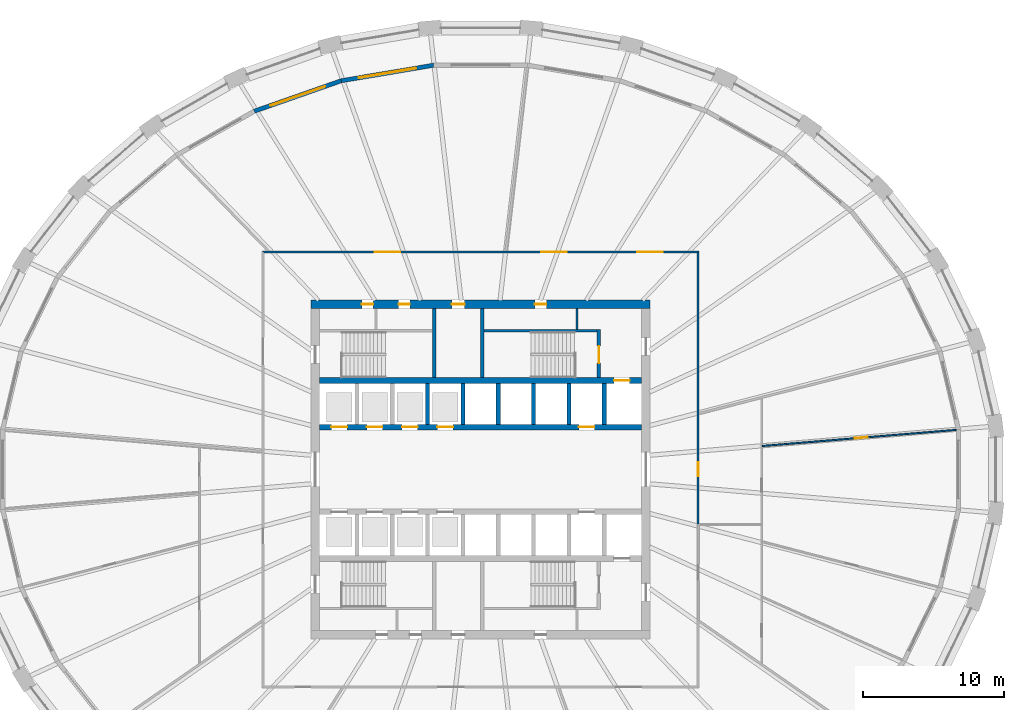
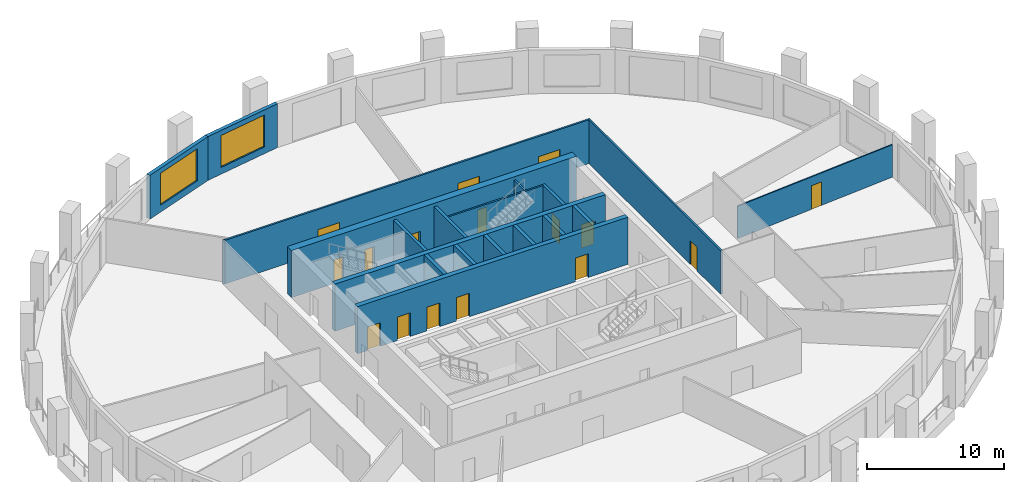
# One storey, part 6 of 11: 19 walls, 16 doors, 2 windows, 18 openings.
"""IFC4 building model written with IfcOpenShell, lengths in metres."""

import ifcopenshell
import ifcopenshell.guid

model = None  # the IFC model being written
_history = None  # IfcOwnerHistory: only IFC2X3 demands one
_inside = {}  # id of a spatial element -> (the spatial element, [elements in it])
_under = {}  # id of a project, library or spatial element -> (it, [spatial elements below it])
_declared = {}  # id of a project -> (the project, [libraries it declares])
_typed = {}  # id of a type object -> (the type object, [elements of that type])
_made_of = {}  # id of a material, layer set ... -> (it, [elements and type objects made of it])


def new_model(schema):
    """Start an empty IFC model of exactly this schema.

    Asked for "IFC4X3", IfcOpenShell would pick the latest addendum, in which some entities
    have other attributes; the version numbers below select the first issue.
    IFC2X3 requires an IfcOwnerHistory on every rooted entity: one is made here for all.
    """
    global model, _history
    if schema == "IFC4X3":
        model = ifcopenshell.file(schema_version=(4, 3, 0, 0))
    else:
        model = ifcopenshell.file(schema=schema)
    _inside.clear()
    _under.clear()
    _declared.clear()
    _typed.clear()
    _made_of.clear()
    _history = None
    if model.schema == "IFC2X3":
        org = make("IfcOrganization", Name="unknown")
        user = make(
            "IfcPersonAndOrganization",
            ThePerson=make("IfcPerson", FamilyName="unknown"),
            TheOrganization=org,
        )
        app = make(
            "IfcApplication",
            ApplicationDeveloper=org,
            Version="unknown",
            ApplicationFullName="unknown",
            ApplicationIdentifier="unknown",
        )
        _history = make(
            "IfcOwnerHistory",
            OwningUser=user,
            OwningApplication=app,
            ChangeAction="ADDED",
            CreationDate=0,
        )
    return model


def make(cls, **values):
    """One entity of the class cls with the attributes given. An attribute that is None is left unset."""
    return model.create_entity(
        cls, **{name: value for name, value in values.items() if value is not None}
    )


def rooted(cls, **values):
    """An entity with a GlobalId (a new one), such as an element, a storey or a relation."""
    return make(cls, GlobalId=ifcopenshell.guid.new(), OwnerHistory=_history, **values)


def si_unit(unit_type, name, prefix=None):
    """IfcSIUnit, for example si_unit("LENGTHUNIT", "METRE", prefix="MILLI")."""
    return make("IfcSIUnit", UnitType=unit_type, Prefix=prefix, Name=name)


def assignment(units):
    """IfcUnitAssignment: the units of a project."""
    return None if units is None else make("IfcUnitAssignment", Units=units)


def point(xyz):
    """IfcCartesianPoint."""
    return None if xyz is None else make("IfcCartesianPoint", Coordinates=xyz)


def direction(xyz):
    """IfcDirection."""
    return None if xyz is None else make("IfcDirection", DirectionRatios=xyz)


def frame(location, z_axis=None, x_axis=None):
    """IfcAxis2Placement3D, a coordinate frame: its origin and axes. An axis left out is left unset."""
    return make(
        "IfcAxis2Placement3D",
        Location=point(location),
        Axis=direction(z_axis),
        RefDirection=direction(x_axis),
    )


def frame_2d(location, x_axis=None):
    """IfcAxis2Placement2D, a coordinate frame in the plane: its origin and x axis."""
    return make(
        "IfcAxis2Placement2D", Location=point(location), RefDirection=direction(x_axis)
    )


def origin():
    """The frame at (0, 0, 0) with its axes left unset."""
    return frame((0.0, 0.0, 0.0))


def place(relative_to, where):
    """IfcLocalPlacement: puts the frame where relative to a parent placement (None: the world)."""
    return make(
        "IfcLocalPlacement", PlacementRelTo=relative_to, RelativePlacement=where
    )


def context(
    kind, dimensions, precision=None, world=None, true_north=None, identifier=None
):
    """IfcGeometricRepresentationContext, for example the 3D "Model" context."""
    return make(
        "IfcGeometricRepresentationContext",
        ContextIdentifier=identifier,
        ContextType=kind,
        CoordinateSpaceDimension=dimensions,
        Precision=precision,
        WorldCoordinateSystem=world,
        TrueNorth=true_north,
    )


def subcontext(parent, identifier, kind, view, scale=None):
    """IfcGeometricRepresentationSubContext, for example "Body" below "Model"."""
    return make(
        "IfcGeometricRepresentationSubContext",
        ContextIdentifier=identifier,
        ContextType=kind,
        ParentContext=parent,
        TargetScale=scale,
        TargetView=view,
    )


def project(units=None, contexts=None):
    """IfcProject with its units and contexts."""
    return rooted(
        "IfcProject",
        Name="project",
        RepresentationContexts=contexts,
        UnitsInContext=assignment(units),
    )


def spatial(cls, under=None, at=None, **own):
    """A site, building, storey or space (cls), placed at a placement, below another one or the project."""
    s = rooted(cls, ObjectPlacement=at, **own)
    if under is not None:
        _under.setdefault(under.id(), (under, []))[1].append(s)
    return s


def polyline(points):
    """IfcPolyline through the points."""
    return make("IfcPolyline", Points=[point(p) for p in points])


def profile(cls, at=None, kind="AREA", **sizes):
    """A parametric profile (cls). Its sizes go by their IFC names, for example OverallWidth=200.0."""
    return make(cls, ProfileType=kind, Position=at, **sizes)


def rectangle(**sizes):
    """IfcRectangleProfileDef."""
    return profile("IfcRectangleProfileDef", **sizes)


def outline(outer, holes=None, kind="AREA"):
    """IfcArbitraryClosedProfileDef: a profile drawn as a closed curve; with holes, ...WithVoids."""
    if holes is None:
        return make("IfcArbitraryClosedProfileDef", ProfileType=kind, OuterCurve=outer)
    return make(
        "IfcArbitraryProfileDefWithVoids",
        ProfileType=kind,
        OuterCurve=outer,
        InnerCurves=holes,
    )


def extrude(swept, where, along, depth):
    """IfcExtrudedAreaSolid: the profile swept, set in the frame where, extruded along a direction by depth."""
    return make(
        "IfcExtrudedAreaSolid",
        SweptArea=swept,
        Position=where,
        ExtrudedDirection=direction(along),
        Depth=depth,
    )


def shape(context_of_items, identifier, shape_type, items):
    """IfcShapeRepresentation: the items that make up one representation, for example the "Body"."""
    return make(
        "IfcShapeRepresentation",
        ContextOfItems=context_of_items,
        RepresentationIdentifier=identifier,
        RepresentationType=shape_type,
        Items=items,
    )


def material(Name=None, Category=None):
    """IfcMaterial."""
    return make("IfcMaterial", Name=Name, Category=Category)


def layer(
    of_material, thickness, ventilated=None, Name=None, Category=None, Priority=None
):
    """IfcMaterialLayer: one layer of a wall or slab, of a material (None: an air gap)."""
    return make(
        "IfcMaterialLayer",
        Material=of_material,
        LayerThickness=thickness,
        IsVentilated=ventilated,
        Name=Name,
        Category=Category,
        Priority=Priority,
    )


def layer_set(layers, Name=None):
    """IfcMaterialLayerSet."""
    return make("IfcMaterialLayerSet", MaterialLayers=layers, LayerSetName=Name)


def made_of(thing, what):
    """Note that an element or type object is made of a material, layer set ...; save() writes the relation."""
    if what is not None:
        _made_of.setdefault(what.id(), (what, []))[1].append(thing)
    return thing


def type_object(cls, material=None, **own):
    """A type object (cls), such as IfcWallType, which elements share."""
    return made_of(rooted(cls, **own), material)


def element(
    cls,
    number,
    at=None,
    inside=None,
    cuts=None,
    type_object=None,
    material=None,
    context=None,
    identifier="Body",
    shape_type=None,
    held_by="IfcProductDefinitionShape",
    body=None,
    shapes=None,
    **own,
):
    """One element of the class cls, such as IfcWall. Its Tag is "e" and its number.

    at: its placement. inside: the storey or other place that contains it. cuts: it is an
    opening in that element (IfcRelVoidsElement). A single representation is given by context,
    identifier, shape_type and body (its items); several are given by shapes. held_by: the class
    of the entity that holds the representations. save() writes the other relations.
    """
    e = rooted(cls, Tag="e%d" % number, ObjectPlacement=at, **own)
    if body is not None:
        shapes = [shape(context, identifier, shape_type, body)]
    if shapes is not None:
        e.Representation = make(held_by, Representations=shapes)
    if inside is not None:
        _inside.setdefault(inside.id(), (inside, []))[1].append(e)
    if cuts is not None:
        rooted(
            "IfcRelVoidsElement", RelatingBuildingElement=cuts, RelatedOpeningElement=e
        )
    if type_object is not None:
        _typed.setdefault(type_object.id(), (type_object, []))[1].append(e)
    return made_of(e, material)


def fill(opening, filler):
    """IfcRelFillsElement: the door or window that sits in an opening."""
    return rooted(
        "IfcRelFillsElement",
        RelatingOpeningElement=opening,
        RelatedBuildingElement=filler,
    )


def aggregate(whole, parts):
    """IfcRelAggregates: a whole, such as a stair, and the parts it consists of."""
    return rooted("IfcRelAggregates", RelatingObject=whole, RelatedObjects=parts)


def save(model, path):
    """Write the relations noted so far, then the file.

    IfcRelAggregates (storeys below a building ...), IfcRelContainedInSpatialStructure (elements
    in a storey), IfcRelDefinesByType, IfcRelAssociatesMaterial and IfcRelDeclares: one each for
    every whole, place, type object, material and project.
    """
    for whole, parts in _under.values():
        aggregate(whole, parts)
    for where, things in _inside.values():
        rooted(
            "IfcRelContainedInSpatialStructure",
            RelatedElements=things,
            RelatingStructure=where,
        )
    for kind, things in _typed.values():
        rooted("IfcRelDefinesByType", RelatedObjects=things, RelatingType=kind)
    for what, things in _made_of.values():
        rooted("IfcRelAssociatesMaterial", RelatedObjects=things, RelatingMaterial=what)
    for by, libraries in _declared.values():
        rooted("IfcRelDeclares", RelatingContext=by, RelatedDefinitions=libraries)
    model.write(path)


model = new_model("IFC4")

# Units and contexts
model_context = context("Model", 3, precision=1e-05, world=origin(), true_north=direction((0.0, 1.0)))
body_context = subcontext(model_context, "Body", "Model", "MODEL_VIEW")
ifc_project = project(units=[si_unit("LENGTHUNIT", "METRE"), si_unit("AREAUNIT", "SQUARE_METRE"), si_unit("VOLUMEUNIT", "CUBIC_METRE"), si_unit("PLANEANGLEUNIT", "RADIAN"), si_unit("MASSUNIT", "GRAM", prefix="KILO")], contexts=[model_context])

# Site, building, storey
site_placement = place(None, origin())
site = spatial("IfcSite", under=ifc_project, at=site_placement, CompositionType="ELEMENT")
building_placement = place(site_placement, origin())
building = spatial("IfcBuilding", under=site, at=building_placement, Name="Halqa Exchange Tower", CompositionType="ELEMENT")
storey_placement = place(building_placement, frame((0.0, 0.0, 78.10009765625)))
storey = spatial("IfcBuildingStorey", under=building, at=storey_placement, Name="L17", CompositionType="ELEMENT", Elevation=78.10009765625)

# Wall, openings, doors
ifc_material_1 = material(Name="Fire-rated gypsum board")
ifc_layer_1 = layer(ifc_material_1, 0.14990234375)
ifc_layer_set_1 = layer_set([ifc_layer_1], Name="Fire-rated gypsum board")
wall_type_1 = type_object("IfcWallType", Name="Fire partition EI 60 150", PredefinedType="PARTITIONING", material=ifc_layer_set_1)
wall_1_placement = place(storey_placement, frame((-15.47509765625, 15.39990234375, 0.0), z_axis=(0.0, 0.0, 1.0), x_axis=(1.0, 0.0, 0.0)))
wall_1 = element("IfcWall", 1, at=wall_1_placement, inside=storey, type_object=wall_type_1, Name="L17-PWL-008", PredefinedType="PARTITIONING", context=body_context, shape_type="SweptSolid", body=[
    extrude(outline(polyline([(0.150146484375, -0.074951171875), (2.065673828125, -0.074951171875), (3.9814453125, -0.074951171875), (5.89697265625, -0.074951171875), (7.8125, -0.074951171875), (9.728271484375, -0.074951171875), (11.643798828125, -0.074951171875), (13.5595703125, -0.074951171875), (15.47509765625, -0.074951171875), (17.390625, -0.074951171875), (19.306396484375, -0.074951171875), (21.221923828125, -0.074951171875), (23.1376953125, -0.074951171875), (25.05322265625, -0.074951171875), (26.96875, -0.074951171875), (28.884521484375, -0.074951171875), (30.800048828125, -0.074951171875), (30.949951171875, 0.074951171875), (29.015625, 0.074951171875), (27.081298828125, 0.074951171875), (25.14697265625, 0.074951171875), (23.21240234375, 0.074951171875), (21.278076171875, 0.074951171875), (19.34375, 0.074951171875), (17.409423828125, 0.074951171875), (15.47509765625, 0.074951171875), (13.540771484375, 0.074951171875), (11.6064453125, 0.074951171875), (9.672119140625, 0.074951171875), (7.73779296875, 0.074951171875), (5.80322265625, 0.074951171875), (3.868896484375, 0.074951171875), (1.9345703125, 0.074951171875), (0.000244140625, 0.074951171875), (0.150146484375, -0.074951171875)])), origin(), (0.0, 0.0, 1.0), 3.89990234375),
])
opening_1_placement = place(wall_1_placement, frame((26.572509765625, 0.0, 0.0)))
opening_1 = element("IfcOpeningElement", 2, at=opening_1_placement, cuts=wall_1, Name="Opening 05-07", PredefinedType="OPENING", context=body_context, shape_type="SweptSolid", body=[
    extrude(rectangle(XDim=1.800048828125, YDim=2.10009765625, at=frame_2d((0.89990234375, 1.050048828125))), frame((0.0, 0.0869140625, 0.0), z_axis=(0.0, -1.0, 0.0), x_axis=(1.0, 0.0, 0.0)), (0.0, 0.0, 1.0), 0.173828125),
])
opening_2_placement = place(wall_1_placement, frame((19.767578125, 0.0, 0.0)))
opening_2 = element("IfcOpeningElement", 3, at=opening_2_placement, cuts=wall_1, Name="Opening 05-08", PredefinedType="OPENING", context=body_context, shape_type="SweptSolid", body=[
    extrude(rectangle(XDim=1.800048828125, YDim=2.10009765625, at=frame_2d((0.89990234375, 1.050048828125))), frame((0.0, 0.0869140625, 0.0), z_axis=(0.0, -1.0, 0.0), x_axis=(1.0, 0.0, 0.0)), (0.0, 0.0, 1.0), 0.173828125),
])
opening_3_placement = place(wall_1_placement, frame((7.9951171875, 0.0, 0.0)))
opening_3 = element("IfcOpeningElement", 4, at=opening_3_placement, cuts=wall_1, Name="Opening 05-09", PredefinedType="OPENING", context=body_context, shape_type="SweptSolid", body=[
    extrude(rectangle(XDim=1.800048828125, YDim=2.10009765625, at=frame_2d((0.89990234375, 1.050048828125))), frame((0.0, 0.0869140625, 0.0), z_axis=(0.0, -1.0, 0.0), x_axis=(1.0, 0.0, 0.0)), (0.0, 0.0, 1.0), 0.173828125),
])
ifc_material_2 = material(Name="Steel fire door leaf", Category="steel")
door_type_1 = type_object("IfcDoorType", Name="Fire door FD30S double 1800 x 2100", OperationType="DOUBLE_DOOR_SINGLE_SWING", PredefinedType="DOOR", material=ifc_material_2)
door_1_placement = place(opening_1_placement, origin())
door_1 = element("IfcDoor", 5, at=door_1_placement, inside=storey, type_object=door_type_1, Name="L17-IDR-007", OperationType="DOUBLE_DOOR_SINGLE_SWING", OverallHeight=2.10009765625, OverallWidth=1.800048828125, PredefinedType="DOOR", context=body_context, shape_type="SweptSolid", body=[
    extrude(rectangle(XDim=1.800048828125, YDim=2.10009765625, at=frame_2d((0.89990234375, 1.050048828125))), frame((0.0, 0.02490234375, 0.0), z_axis=(0.0, -1.0, 0.0), x_axis=(1.0, 0.0, 0.0)), (0.0, 0.0, 1.0), 0.050048828125),
])
fill(opening_1, door_1)
door_2_placement = place(opening_2_placement, origin())
door_2 = element("IfcDoor", 6, at=door_2_placement, inside=storey, type_object=door_type_1, Name="L17-IDR-008", OperationType="DOUBLE_DOOR_SINGLE_SWING", OverallHeight=2.10009765625, OverallWidth=1.800048828125, PredefinedType="DOOR", context=body_context, shape_type="SweptSolid", body=[
    extrude(rectangle(XDim=1.800048828125, YDim=2.10009765625, at=frame_2d((0.89990234375, 1.050048828125))), frame((0.0, 0.02490234375, 0.0), z_axis=(0.0, -1.0, 0.0), x_axis=(1.0, 0.0, 0.0)), (0.0, 0.0, 1.0), 0.050048828125),
])
fill(opening_2, door_2)
door_3_placement = place(opening_3_placement, origin())
door_3 = element("IfcDoor", 7, at=door_3_placement, inside=storey, type_object=door_type_1, Name="L17-IDR-009", OperationType="DOUBLE_DOOR_SINGLE_SWING", OverallHeight=2.10009765625, OverallWidth=1.800048828125, PredefinedType="DOOR", context=body_context, shape_type="SweptSolid", body=[
    extrude(rectangle(XDim=1.800048828125, YDim=2.10009765625, at=frame_2d((0.89990234375, 1.050048828125))), frame((0.0, 0.02490234375, 0.0), z_axis=(0.0, -1.0, 0.0), x_axis=(1.0, 0.0, 0.0)), (0.0, 0.0, 1.0), 0.050048828125),
])
fill(opening_3, door_3)

# Wall, opening, door
wall_2_placement = place(storey_placement, frame((15.39990234375, -3.889892578125, 0.0), z_axis=(0.0, 0.0, 1.0), x_axis=(0.0, 1.0, 0.0)))
wall_2 = element("IfcWall", 8, at=wall_2_placement, inside=storey, type_object=wall_type_1, Name="L17-PWL-016", PredefinedType="PARTITIONING", context=body_context, shape_type="SweptSolid", body=[
    extrude(outline(polyline([(0.0, -0.074951171875), (1.9365234375, -0.074951171875), (3.873046875, -0.074951171875), (5.809326171875, -0.074951171875), (7.745849609375, -0.074951171875), (9.682373046875, -0.074951171875), (11.618896484375, -0.074951171875), (13.555419921875, -0.074951171875), (15.49169921875, -0.074951171875), (17.42822265625, -0.074951171875), (19.36474609375, -0.074951171875), (19.21484375, 0.074951171875), (17.29345703125, 0.074951171875), (15.371826171875, 0.074951171875), (13.450439453125, 0.074951171875), (11.52880859375, 0.074951171875), (9.607421875, 0.074951171875), (7.68603515625, 0.074951171875), (5.764404296875, 0.074951171875), (3.843017578125, 0.074951171875), (1.92138671875, 0.074951171875), (0.0, 0.074951171875), (0.0, -0.074951171875)])), origin(), (0.0, 0.0, 1.0), 3.89990234375),
])
opening_4_placement = place(wall_2_placement, frame((3.419921875, 0.0, 0.0)))
opening_4 = element("IfcOpeningElement", 9, at=opening_4_placement, cuts=wall_2, Name="Opening 05-06", PredefinedType="OPENING", context=body_context, shape_type="SweptSolid", body=[
    extrude(rectangle(XDim=1.0, YDim=2.10009765625, at=frame_2d((0.5, 1.050048828125))), frame((0.0, 0.0869140625, 0.0), z_axis=(0.0, -1.0, 0.0), x_axis=(1.0, 0.0, 0.0)), (0.0, 0.0, 1.0), 0.173828125),
])
door_type_2 = type_object("IfcDoorType", Name="Fire door FD30S 1000 x 2100", OperationType="SINGLE_SWING_LEFT", PredefinedType="DOOR", material=ifc_material_2)
door_4_placement = place(opening_4_placement, frame((1.0, 0.0, 0.0), z_axis=(0.0, 0.0, 1.0), x_axis=(-1.0, 0.0, 0.0)))
door_4 = element("IfcDoor", 10, at=door_4_placement, inside=storey, type_object=door_type_2, Name="L17-IDR-006", OperationType="SINGLE_SWING_RIGHT", OverallHeight=2.10009765625, OverallWidth=1.0, PredefinedType="DOOR", context=body_context, shape_type="SweptSolid", body=[
    extrude(rectangle(XDim=1.0, YDim=2.10009765625, at=frame_2d((0.5, 1.050048828125))), frame((0.0, 0.02490234375, 0.0), z_axis=(0.0, -1.0, 0.0), x_axis=(1.0, 0.0, 0.0)), (0.0, 0.0, 1.0), 0.050048828125),
])
fill(opening_4, door_4)

ifc_material_3 = material(Name="Gypsum board")
ifc_layer_2 = layer(ifc_material_3, 0.10009765625)
ifc_layer_set_2 = layer_set([ifc_layer_2], Name="Gypsum board")
wall_type_2 = type_object("IfcWallType", Name="Partition 100 gypsum", PredefinedType="PARTITIONING", material=ifc_layer_set_2)
wall_3_placement = place(storey_placement, frame((19.9462890625, 1.663818359375, 0.0), z_axis=(0.0, 0.0, 1.0), x_axis=(0.996559566172, 0.082879617945, 0.0)))
wall_3 = element("IfcWall", 11, at=wall_3_placement, inside=storey, type_object=wall_type_2, Name="L17-PWL-022", PredefinedType="PARTITIONING", context=body_context, shape_type="SweptSolid", body=[
    extrude(outline(polyline([(13.765380859375, -0.050048828125), (13.765380859375, 0.0263671875), (13.761962890625, 0.050048828125), (11.797119140625, 0.050048828125), (9.83203125, 0.050048828125), (7.8671875, 0.050048828125), (5.90234375, 0.050048828125), (3.9375, 0.050048828125), (1.97265625, 0.050048828125), (0.0078125, 0.050048828125), (0.0, -0.044677734375), (0.0, -0.050048828125), (1.966552734375, -0.050048828125), (3.932861328125, -0.050048828125), (5.8994140625, -0.050048828125), (7.865966796875, -0.050048828125), (9.83251953125, -0.050048828125), (11.798828125, -0.050048828125), (13.765380859375, -0.050048828125)])), origin(), (0.0, 0.0, 1.0), 2.891845703125),
])
opening_5_placement = place(wall_3_placement, frame((6.562744140625, 0.0, 0.0)))
opening_5 = element("IfcOpeningElement", 12, at=opening_5_placement, cuts=wall_3, Name="Opening 05-17", PredefinedType="OPENING", context=body_context, shape_type="SweptSolid", body=[
    extrude(rectangle(XDim=0.89990234375, YDim=2.10009765625, at=frame_2d((0.449951171875, 1.050048828125))), frame((0.0, 0.06201171875, 0.0), z_axis=(0.0, -1.0, 0.0), x_axis=(1.0, 0.0, 0.0)), (0.0, 0.0, 1.0), 0.1240234375),
])
ifc_material_4 = material(Name="Timber door leaf", Category="wood")
door_type_3 = type_object("IfcDoorType", Name="Door 900 x 2100", OperationType="SINGLE_SWING_LEFT", PredefinedType="DOOR", material=ifc_material_4)
door_5_placement = place(opening_5_placement, origin())
door_5 = element("IfcDoor", 13, at=door_5_placement, inside=storey, type_object=door_type_3, Name="L17-IDR-017", OperationType="SINGLE_SWING_RIGHT", OverallHeight=2.10009765625, OverallWidth=0.89990234375, PredefinedType="DOOR", context=body_context, shape_type="SweptSolid", body=[
    extrude(rectangle(XDim=0.89990234375, YDim=2.10009765625, at=frame_2d((0.449951171875, 1.050048828125))), frame((0.0, 0.02490234375, 0.0), z_axis=(0.0, -1.0, 0.0), x_axis=(1.0, 0.0, 0.0)), (0.0, 0.0, 1.0), 0.050048828125),
])
fill(opening_5, door_5)

# Walls
ifc_layer_3 = layer(ifc_material_3, 0.14990234375)
ifc_layer_set_3 = layer_set([ifc_layer_3], Name="Gypsum board")
wall_type_3 = type_object("IfcWallType", Name="Penthouse riser wall 150 gypsum", PredefinedType="PARTITIONING", material=ifc_layer_set_3)
wall_4_placement = place(storey_placement, frame((6.824951171875, 9.89990234375, 0.0), z_axis=(0.0, 0.0, 1.0), x_axis=(0.0, 1.0, 0.0)))
element("IfcWall", 14, at=wall_4_placement, inside=storey, type_object=wall_type_3, Name="Firefighting lobby west wall N", PredefinedType="PARTITIONING", context=body_context, shape_type="SweptSolid", body=[
    extrude(rectangle(XDim=1.5, YDim=0.14990234375, at=frame_2d((0.75, 0.0))), origin(), (0.0, 0.0, 1.0), 3.89990234375),
])
ifc_material_5 = material(Name="Concrete C60/75", Category="concrete")
ifc_layer_4 = layer(ifc_material_5, 0.300048828125)
ifc_layer_set_4 = layer_set([ifc_layer_4], Name="Concrete C60/75")
wall_type_4 = type_object("IfcWallType", Name="RC core wall 300", PredefinedType="SHEAR", material=ifc_layer_set_4)
for number, where, z_axis, x_axis, name in (
    (15, (-3.75, 3.199951171875, 0.0), (0.0, 0.0, 1.0), (0.0, 1.0, 0.0), "Shaft divider N3"),
    (16, (-1.25, 3.199951171875, 0.0), (0.0, 0.0, 1.0), (0.0, 1.0, 0.0), "Shaft divider N4"),
    (17, (1.25, 3.199951171875, 0.0), (0.0, 0.0, 1.0), (0.0, 1.0, 0.0), "Shaft divider N5"),
    (18, (3.75, 3.199951171875, 0.0), (0.0, 0.0, 1.0), (0.0, 1.0, 0.0), "Shaft divider N6"),
    (19, (6.25, 3.199951171875, 0.0), (0.0, 0.0, 1.0), (0.0, 1.0, 0.0), "Shaft divider N7"),
    (20, (8.75, 3.199951171875, 0.0), (0.0, 0.0, 1.0), (0.0, 1.0, 0.0), "Shaft divider N8"),
):
    element("IfcWall", number, at=place(storey_placement, frame(where, z_axis=z_axis, x_axis=x_axis)), inside=storey, type_object=wall_type_4, Name=name, PredefinedType="SHEAR", context=body_context, shape_type="SweptSolid", body=[
        extrude(rectangle(XDim=2.900146484375, YDim=0.300048828125, at=frame_2d((1.4501953125, 0.0))), origin(), (0.0, 0.0, 1.0), 4.199951171875),
    ])

# Wall, openings, doors
ifc_material_6 = material(Name="Concrete C80/95", Category="concrete")
ifc_layer_5 = layer(ifc_material_6, 0.39990234375)
ifc_layer_set_5 = layer_set([ifc_layer_5], Name="Concrete C80/95")
wall_type_5 = type_object("IfcWallType", Name="RC core wall 400 C80/95", PredefinedType="SHEAR", material=ifc_layer_set_5)
wall_5_placement = place(storey_placement, frame((-11.39990234375, 3.0, 0.0), z_axis=(0.0, 0.0, 1.0), x_axis=(1.0, 0.0, 0.0)))
wall_5 = element("IfcWall", 21, at=wall_5_placement, inside=storey, type_object=wall_type_5, Name="Lift row front wall N", PredefinedType="SHEAR", context=body_context, shape_type="SweptSolid", body=[
    extrude(rectangle(XDim=22.7998046875, YDim=0.39990234375, at=frame_2d((11.39990234375, 0.0))), origin(), (0.0, 0.0, 1.0), 4.199951171875),
])
opening_6_placement = place(wall_5_placement, frame((0.85009765625, 0.0, 0.0)))
opening_6 = element("IfcOpeningElement", 22, at=opening_6_placement, cuts=wall_5, Name="Opening LD-LR1-T05", PredefinedType="OPENING", context=body_context, shape_type="SweptSolid", body=[
    extrude(rectangle(XDim=1.10009765625, YDim=2.10009765625, at=frame_2d((0.550048828125, 1.050048828125))), frame((0.0, 0.2119140625, 0.0), z_axis=(0.0, -1.0, 0.0), x_axis=(1.0, 0.0, 0.0)), (0.0, 0.0, 1.0), 0.423828125),
])
opening_7_placement = place(wall_5_placement, frame((3.35009765625, 0.0, 0.0)))
opening_7 = element("IfcOpeningElement", 23, at=opening_7_placement, cuts=wall_5, Name="Opening LD-LR2-T05", PredefinedType="OPENING", context=body_context, shape_type="SweptSolid", body=[
    extrude(rectangle(XDim=1.10009765625, YDim=2.10009765625, at=frame_2d((0.550048828125, 1.050048828125))), frame((0.0, 0.2119140625, 0.0), z_axis=(0.0, -1.0, 0.0), x_axis=(1.0, 0.0, 0.0)), (0.0, 0.0, 1.0), 0.423828125),
])
opening_8_placement = place(wall_5_placement, frame((5.85009765625, 0.0, 0.0)))
opening_8 = element("IfcOpeningElement", 24, at=opening_8_placement, cuts=wall_5, Name="Opening LD-LR3-T05", PredefinedType="OPENING", context=body_context, shape_type="SweptSolid", body=[
    extrude(rectangle(XDim=1.10009765625, YDim=2.10009765625, at=frame_2d((0.550048828125, 1.050048828125))), frame((0.0, 0.2119140625, 0.0), z_axis=(0.0, -1.0, 0.0), x_axis=(1.0, 0.0, 0.0)), (0.0, 0.0, 1.0), 0.423828125),
])
opening_9_placement = place(wall_5_placement, frame((8.35009765625, 0.0, 0.0)))
opening_9 = element("IfcOpeningElement", 25, at=opening_9_placement, cuts=wall_5, Name="Opening LD-LR4-T05", PredefinedType="OPENING", context=body_context, shape_type="SweptSolid", body=[
    extrude(rectangle(XDim=1.10009765625, YDim=2.10009765625, at=frame_2d((0.550048828125, 1.050048828125))), frame((0.0, 0.2119140625, 0.0), z_axis=(0.0, -1.0, 0.0), x_axis=(1.0, 0.0, 0.0)), (0.0, 0.0, 1.0), 0.423828125),
])
opening_10_placement = place(wall_5_placement, frame((18.35009765625, 0.0, 0.0)))
opening_10 = element("IfcOpeningElement", 26, at=opening_10_placement, cuts=wall_5, Name="Opening LD-SV1-T05", PredefinedType="OPENING", context=body_context, shape_type="SweptSolid", body=[
    extrude(rectangle(XDim=1.10009765625, YDim=2.10009765625, at=frame_2d((0.550048828125, 1.050048828125))), frame((0.0, 0.2119140625, 0.0), z_axis=(0.0, -1.0, 0.0), x_axis=(1.0, 0.0, 0.0)), (0.0, 0.0, 1.0), 0.423828125),
])
ifc_material_7 = material(Name="Stainless steel", Category="steel")
door_type_4 = type_object("IfcDoorType", Name="Lift landing door 1100 x 2100", OperationType="SLIDING_TO_LEFT", PredefinedType="DOOR", material=ifc_material_7)
door_6_placement = place(opening_6_placement, origin())
door_6 = element("IfcDoor", 27, at=door_6_placement, inside=storey, type_object=door_type_4, Name="Lift landing door LR1", OperationType="SLIDING_TO_LEFT", OverallHeight=2.10009765625, OverallWidth=1.10009765625, PredefinedType="DOOR", context=body_context, shape_type="SweptSolid", body=[
    extrude(rectangle(XDim=1.10009765625, YDim=2.10009765625, at=frame_2d((0.550048828125, 1.050048828125))), frame((0.0, 0.02490234375, 0.0), z_axis=(0.0, -1.0, 0.0), x_axis=(1.0, 0.0, 0.0)), (0.0, 0.0, 1.0), 0.050048828125),
])
fill(opening_6, door_6)
door_7_placement = place(opening_7_placement, origin())
door_7 = element("IfcDoor", 28, at=door_7_placement, inside=storey, type_object=door_type_4, Name="Lift landing door LR2", OperationType="SLIDING_TO_LEFT", OverallHeight=2.10009765625, OverallWidth=1.10009765625, PredefinedType="DOOR", context=body_context, shape_type="SweptSolid", body=[
    extrude(rectangle(XDim=1.10009765625, YDim=2.10009765625, at=frame_2d((0.550048828125, 1.050048828125))), frame((0.0, 0.02490234375, 0.0), z_axis=(0.0, -1.0, 0.0), x_axis=(1.0, 0.0, 0.0)), (0.0, 0.0, 1.0), 0.050048828125),
])
fill(opening_7, door_7)
door_8_placement = place(opening_8_placement, origin())
door_8 = element("IfcDoor", 29, at=door_8_placement, inside=storey, type_object=door_type_4, Name="Lift landing door LR3", OperationType="SLIDING_TO_LEFT", OverallHeight=2.10009765625, OverallWidth=1.10009765625, PredefinedType="DOOR", context=body_context, shape_type="SweptSolid", body=[
    extrude(rectangle(XDim=1.10009765625, YDim=2.10009765625, at=frame_2d((0.550048828125, 1.050048828125))), frame((0.0, 0.02490234375, 0.0), z_axis=(0.0, -1.0, 0.0), x_axis=(1.0, 0.0, 0.0)), (0.0, 0.0, 1.0), 0.050048828125),
])
fill(opening_8, door_8)
door_9_placement = place(opening_9_placement, origin())
door_9 = element("IfcDoor", 30, at=door_9_placement, inside=storey, type_object=door_type_4, Name="Lift landing door LR4", OperationType="SLIDING_TO_LEFT", OverallHeight=2.10009765625, OverallWidth=1.10009765625, PredefinedType="DOOR", context=body_context, shape_type="SweptSolid", body=[
    extrude(rectangle(XDim=1.10009765625, YDim=2.10009765625, at=frame_2d((0.550048828125, 1.050048828125))), frame((0.0, 0.02490234375, 0.0), z_axis=(0.0, -1.0, 0.0), x_axis=(1.0, 0.0, 0.0)), (0.0, 0.0, 1.0), 0.050048828125),
])
fill(opening_9, door_9)
door_10_placement = place(opening_10_placement, origin())
door_10 = element("IfcDoor", 31, at=door_10_placement, inside=storey, type_object=door_type_4, Name="Lift landing door SV1", OperationType="SLIDING_TO_LEFT", OverallHeight=2.10009765625, OverallWidth=1.10009765625, PredefinedType="DOOR", context=body_context, shape_type="SweptSolid", body=[
    extrude(rectangle(XDim=1.10009765625, YDim=2.10009765625, at=frame_2d((0.550048828125, 1.050048828125))), frame((0.0, 0.02490234375, 0.0), z_axis=(0.0, -1.0, 0.0), x_axis=(1.0, 0.0, 0.0)), (0.0, 0.0, 1.0), 0.050048828125),
])
fill(opening_10, door_10)

# Wall, opening, door
wall_6_placement = place(storey_placement, frame((-11.39990234375, 6.300048828125, 0.0), z_axis=(0.0, 0.0, 1.0), x_axis=(1.0, 0.0, 0.0)))
wall_6 = element("IfcWall", 32, at=wall_6_placement, inside=storey, type_object=wall_type_5, Name="Lift row back wall N", PredefinedType="SHEAR", context=body_context, shape_type="SweptSolid", body=[
    extrude(rectangle(XDim=22.7998046875, YDim=0.39990234375, at=frame_2d((11.39990234375, 0.0))), origin(), (0.0, 0.0, 1.0), 4.199951171875),
])
opening_11_placement = place(wall_6_placement, frame((20.85009765625, 0.0, 0.0)))
opening_11 = element("IfcOpeningElement", 33, at=opening_11_placement, cuts=wall_6, Name="Opening LD-FF1-T05", PredefinedType="OPENING", context=body_context, shape_type="SweptSolid", body=[
    extrude(rectangle(XDim=1.10009765625, YDim=2.10009765625, at=frame_2d((0.550048828125, 1.050048828125))), frame((0.0, 0.2119140625, 0.0), z_axis=(0.0, -1.0, 0.0), x_axis=(1.0, 0.0, 0.0)), (0.0, 0.0, 1.0), 0.423828125),
])
door_11_placement = place(opening_11_placement, origin())
door_11 = element("IfcDoor", 34, at=door_11_placement, inside=storey, type_object=door_type_4, Name="Lift landing door FF1", OperationType="SLIDING_TO_LEFT", OverallHeight=2.10009765625, OverallWidth=1.10009765625, PredefinedType="DOOR", context=body_context, shape_type="SweptSolid", body=[
    extrude(rectangle(XDim=1.10009765625, YDim=2.10009765625, at=frame_2d((0.550048828125, 1.050048828125))), frame((0.0, 0.02490234375, 0.0), z_axis=(0.0, -1.0, 0.0), x_axis=(1.0, 0.0, 0.0)), (0.0, 0.0, 1.0), 0.050048828125),
])
fill(opening_11, door_11)

# Wall, openings, doors
ifc_layer_6 = layer(ifc_material_6, 0.60009765625)
ifc_layer_set_6 = layer_set([ifc_layer_6], Name="Concrete C80/95")
wall_type_6 = type_object("IfcWallType", Name="RC core wall 600 C80/95", PredefinedType="SHEAR", material=ifc_layer_set_6)
wall_7_placement = place(storey_placement, frame((-12.0, 11.699951171875, 0.0), z_axis=(0.0, 0.0, 1.0), x_axis=(1.0, 0.0, 0.0)))
wall_7 = element("IfcWall", 35, at=wall_7_placement, inside=storey, type_object=wall_type_6, Name="Core wall north", PredefinedType="SHEAR", context=body_context, shape_type="SweptSolid", body=[
    extrude(rectangle(XDim=24.0, YDim=0.60009765625, at=frame_2d((12.0, 0.0))), origin(), (0.0, 0.0, 1.0), 4.199951171875),
])
opening_12_placement = place(wall_7_placement, frame((9.97509765625, 0.0, 0.0)))
opening_12 = element("IfcOpeningElement", 36, at=opening_12_placement, cuts=wall_7, Name="Opening T05-C21", PredefinedType="OPENING", context=body_context, shape_type="SweptSolid", body=[
    extrude(rectangle(XDim=0.89990234375, YDim=2.10009765625, at=frame_2d((0.449951171875, 1.050048828125))), frame((0.0, 0.31201171875, 0.0), z_axis=(0.0, -1.0, 0.0), x_axis=(1.0, 0.0, 0.0)), (0.0, 0.0, 1.0), 0.6240234375),
])
opening_13_placement = place(wall_7_placement, frame((3.60009765625, 0.0, 0.0)))
opening_13 = element("IfcOpeningElement", 37, at=opening_13_placement, cuts=wall_7, Name="Opening T05-C22", PredefinedType="OPENING", context=body_context, shape_type="SweptSolid", body=[
    extrude(rectangle(XDim=0.800048828125, YDim=2.10009765625, at=frame_2d((0.39990234375, 1.050048828125))), frame((0.0, 0.31201171875, 0.0), z_axis=(0.0, -1.0, 0.0), x_axis=(1.0, 0.0, 0.0)), (0.0, 0.0, 1.0), 0.6240234375),
])
opening_14_placement = place(wall_7_placement, frame((6.199951171875, 0.0, 0.0)))
opening_14 = element("IfcOpeningElement", 38, at=opening_14_placement, cuts=wall_7, Name="Opening T05-C23", PredefinedType="OPENING", context=body_context, shape_type="SweptSolid", body=[
    extrude(rectangle(XDim=0.800048828125, YDim=2.10009765625, at=frame_2d((0.39990234375, 1.050048828125))), frame((0.0, 0.31201171875, 0.0), z_axis=(0.0, -1.0, 0.0), x_axis=(1.0, 0.0, 0.0)), (0.0, 0.0, 1.0), 0.6240234375),
])
opening_15_placement = place(wall_7_placement, frame((15.85009765625, 0.0, 0.0)))
opening_15 = element("IfcOpeningElement", 39, at=opening_15_placement, cuts=wall_7, Name="Opening T05-C24", PredefinedType="OPENING", context=body_context, shape_type="SweptSolid", body=[
    extrude(rectangle(XDim=0.800048828125, YDim=2.10009765625, at=frame_2d((0.39990234375, 1.050048828125))), frame((0.0, 0.31201171875, 0.0), z_axis=(0.0, -1.0, 0.0), x_axis=(1.0, 0.0, 0.0)), (0.0, 0.0, 1.0), 0.6240234375),
])
ifc_material_8 = material(Name="Timber fire door leaf", Category="wood")
door_type_5 = type_object("IfcDoorType", Name="Core room door FD30 900 x 2100", OperationType="SINGLE_SWING_LEFT", PredefinedType="DOOR", material=ifc_material_8)
door_12_placement = place(opening_12_placement, frame((0.89990234375, 0.0, 0.0), z_axis=(0.0, 0.0, 1.0), x_axis=(-1.0, 0.0, 0.0)))
door_12 = element("IfcDoor", 40, at=door_12_placement, inside=storey, type_object=door_type_5, Name="Core room door", OperationType="SINGLE_SWING_LEFT", OverallHeight=2.10009765625, OverallWidth=0.89990234375, PredefinedType="DOOR", context=body_context, shape_type="SweptSolid", body=[
    extrude(rectangle(XDim=0.89990234375, YDim=2.10009765625, at=frame_2d((0.449951171875, 1.050048828125))), frame((0.0, 0.02490234375, 0.0), z_axis=(0.0, -1.0, 0.0), x_axis=(1.0, 0.0, 0.0)), (0.0, 0.0, 1.0), 0.050048828125),
])
fill(opening_12, door_12)
door_type_6 = type_object("IfcDoorType", Name="Riser door FD60 800 x 2100", OperationType="SINGLE_SWING_LEFT", PredefinedType="DOOR", material=ifc_material_2)
door_13_placement = place(opening_13_placement, frame((0.800048828125, 0.0, 0.0), z_axis=(0.0, 0.0, 1.0), x_axis=(-1.0, 0.0, 0.0)))
door_13 = element("IfcDoor", 41, at=door_13_placement, inside=storey, type_object=door_type_6, Name="Core room door", OperationType="SINGLE_SWING_RIGHT", OverallHeight=2.10009765625, OverallWidth=0.800048828125, PredefinedType="DOOR", context=body_context, shape_type="SweptSolid", body=[
    extrude(rectangle(XDim=0.800048828125, YDim=2.10009765625, at=frame_2d((0.39990234375, 1.050048828125))), frame((0.0, 0.02490234375, 0.0), z_axis=(0.0, -1.0, 0.0), x_axis=(1.0, 0.0, 0.0)), (0.0, 0.0, 1.0), 0.050048828125),
])
fill(opening_13, door_13)
door_14_placement = place(opening_14_placement, frame((0.800048828125, 0.0, 0.0), z_axis=(0.0, 0.0, 1.0), x_axis=(-1.0, 0.0, 0.0)))
door_14 = element("IfcDoor", 42, at=door_14_placement, inside=storey, type_object=door_type_6, Name="Core room door", OperationType="SINGLE_SWING_LEFT", OverallHeight=2.10009765625, OverallWidth=0.800048828125, PredefinedType="DOOR", context=body_context, shape_type="SweptSolid", body=[
    extrude(rectangle(XDim=0.800048828125, YDim=2.10009765625, at=frame_2d((0.39990234375, 1.050048828125))), frame((0.0, 0.02490234375, 0.0), z_axis=(0.0, -1.0, 0.0), x_axis=(1.0, 0.0, 0.0)), (0.0, 0.0, 1.0), 0.050048828125),
])
fill(opening_14, door_14)
door_15_placement = place(opening_15_placement, frame((0.800048828125, 0.0, 0.0), z_axis=(0.0, 0.0, 1.0), x_axis=(-1.0, 0.0, 0.0)))
door_15 = element("IfcDoor", 43, at=door_15_placement, inside=storey, type_object=door_type_6, Name="Core room door", OperationType="SINGLE_SWING_RIGHT", OverallHeight=2.10009765625, OverallWidth=0.800048828125, PredefinedType="DOOR", context=body_context, shape_type="SweptSolid", body=[
    extrude(rectangle(XDim=0.800048828125, YDim=2.10009765625, at=frame_2d((0.39990234375, 1.050048828125))), frame((0.0, 0.02490234375, 0.0), z_axis=(0.0, -1.0, 0.0), x_axis=(1.0, 0.0, 0.0)), (0.0, 0.0, 1.0), 0.050048828125),
])
fill(opening_15, door_15)

# Walls
ifc_material_9 = material(Name="Concrete C30/37", Category="concrete")
ifc_layer_7 = layer(ifc_material_9, 0.14990234375)
ifc_layer_set_7 = layer_set([ifc_layer_7], Name="Concrete C30/37")
wall_type_7 = type_object("IfcWallType", Name="RC stair wall 150 C30/37", PredefinedType="SHEAR", material=ifc_layer_set_7)
wall_8_placement = place(storey_placement, frame((0.25, 9.824951171875, 0.0), z_axis=(0.0, 0.0, 1.0), x_axis=(1.0, 0.0, 0.0)))
element("IfcWall", 44, at=wall_8_placement, inside=storey, type_object=wall_type_7, Name="Stair ST2 north wall N", PredefinedType="SHEAR", context=body_context, shape_type="SweptSolid", body=[
    extrude(rectangle(XDim=8.0, YDim=0.14990234375, at=frame_2d((4.0, 0.0))), origin(), (0.0, 0.0, 1.0), 3.89990234375),
])
ifc_layer_8 = layer(ifc_material_9, 0.25)
ifc_layer_set_8 = layer_set([ifc_layer_8], Name="Concrete C30/37")
wall_type_8 = type_object("IfcWallType", Name="RC stair wall 250 C30/37", PredefinedType="SHEAR", material=ifc_layer_set_8)
for number, where, z_axis, x_axis, name in (
    (45, (-3.27490234375, 6.5, 0.0), (0.0, 0.0, 1.0), (0.0, 1.0, 0.0), "Stair ST1 east wall N"),
    (46, (0.125, 6.5, 0.0), (0.0, 0.0, 1.0), (0.0, 1.0, 0.0), "Stair ST2 west wall N"),
):
    element("IfcWall", number, at=place(storey_placement, frame(where, z_axis=z_axis, x_axis=x_axis)), inside=storey, type_object=wall_type_8, Name=name, PredefinedType="SHEAR", context=body_context, shape_type="SweptSolid", body=[
        extrude(rectangle(XDim=4.89990234375, YDim=0.25, at=frame_2d((2.449951171875, 0.0))), origin(), (0.0, 0.0, 1.0), 3.89990234375),
    ])

# Wall, opening, door
wall_9_placement = place(storey_placement, frame((8.375, 6.5, 0.0), z_axis=(0.0, 0.0, 1.0), x_axis=(0.0, 1.0, 0.0)))
wall_9 = element("IfcWall", 47, at=wall_9_placement, inside=storey, type_object=wall_type_8, Name="Stair ST2 east wall N", PredefinedType="SHEAR", context=body_context, shape_type="SweptSolid", body=[
    extrude(rectangle(XDim=3.39990234375, YDim=0.25, at=frame_2d((1.699951171875, 0.0))), origin(), (0.0, 0.0, 1.0), 3.89990234375),
])
opening_16_placement = place(wall_9_placement, frame((1.02490234375, 0.0, 0.0)))
opening_16 = element("IfcOpeningElement", 48, at=opening_16_placement, cuts=wall_9, Name="Opening T05-C16", PredefinedType="OPENING", context=body_context, shape_type="SweptSolid", body=[
    extrude(rectangle(XDim=1.199951171875, YDim=2.10009765625, at=frame_2d((0.60009765625, 1.050048828125))), frame((0.0, 0.136962890625, 0.0), z_axis=(0.0, -1.0, 0.0), x_axis=(1.0, 0.0, 0.0)), (0.0, 0.0, 1.0), 0.27392578125),
])
door_type_7 = type_object("IfcDoorType", Name="Stair door FD90 1200 x 2100", OperationType="SINGLE_SWING_LEFT", PredefinedType="DOOR", material=ifc_material_2)
door_16_placement = place(opening_16_placement, origin())
door_16 = element("IfcDoor", 49, at=door_16_placement, inside=storey, type_object=door_type_7, Name="Stair door ST2", OperationType="SINGLE_SWING_RIGHT", OverallHeight=2.10009765625, OverallWidth=1.199951171875, PredefinedType="DOOR", context=body_context, shape_type="SweptSolid", body=[
    extrude(rectangle(XDim=1.199951171875, YDim=2.10009765625, at=frame_2d((0.60009765625, 1.050048828125))), frame((0.0, 0.02490234375, 0.0), z_axis=(0.0, -1.0, 0.0), x_axis=(1.0, 0.0, 0.0)), (0.0, 0.0, 1.0), 0.050048828125),
])
fill(opening_16, door_16)

# Wall, opening, window
ifc_material_10 = material(Name="Limestone cladding", Category="masonry")
ifc_layer_9 = layer(ifc_material_10, 0.0400390625)
ifc_material_11 = material(Name="Ventilated cavity")
ifc_layer_10 = layer(ifc_material_11, 0.030029296875, ventilated=True)
ifc_material_12 = material(Name="Mineral wool insulation")
ifc_layer_11 = layer(ifc_material_12, 0.10009765625)
ifc_layer_12 = layer(ifc_material_9, 0.10009765625)
ifc_material_13 = material(Name="Internal plaster")
ifc_layer_13 = layer(ifc_material_13, 0.030029296875)
ifc_layer_set_9 = layer_set([ifc_layer_9, ifc_layer_10, ifc_layer_11, ifc_layer_12, ifc_layer_13], Name="Stone-faced insulated wall 300")
wall_type_9 = type_object("IfcWallType", Name="Stone-faced insulated wall 300", PredefinedType="STANDARD", material=ifc_layer_set_9)
wall_10_placement = place(storey_placement, frame((-3.32861328125, 28.61083984375, 0.0), z_axis=(0.0, 0.0, 1.0), x_axis=(-0.986157735925, -0.165809890767, 0.0)))
wall_10 = element("IfcWall", 50, at=wall_10_placement, inside=storey, type_object=wall_type_9, Name="Glass-line wall 9", PredefinedType="STANDARD", context=body_context, shape_type="SweptSolid", body=[
    extrude(outline(polyline([(-0.012451171875, -0.14990234375), (6.634033203125, -0.14990234375), (6.608642578125, 0.14990234375), (0.012451171875, 0.14990234375), (-0.012451171875, -0.14990234375)])), origin(), (0.0, 0.0, 1.0), 3.89990234375),
])
opening_17_placement = place(wall_10_placement, frame((1.2607421875, 0.0, 0.60009765625)))
opening_17 = element("IfcOpeningElement", 51, at=opening_17_placement, cuts=wall_10, Name="Opening W-F1-09", PredefinedType="OPENING", context=body_context, shape_type="SweptSolid", body=[
    extrude(rectangle(XDim=4.10009765625, YDim=2.85009765625, at=frame_2d((2.050048828125, 1.425048828125))), frame((0.0, 0.162109375, 0.0), z_axis=(0.0, -1.0, 0.0), x_axis=(1.0, 0.0, 0.0)), (0.0, 0.0, 1.0), 0.323974609375),
])
ifc_material_14 = material(Name="Clear low-emissivity glass in aluminium frame", Category="aluminium")
window_type = type_object("IfcWindowType", Name="Fixed clear glazed window 4100 x 2850", PartitioningType="TRIPLE_PANEL_VERTICAL", PredefinedType="WINDOW", material=ifc_material_14)
window_1_placement = place(opening_17_placement, origin())
window_1 = element("IfcWindow", 52, at=window_1_placement, inside=storey, type_object=window_type, Name="Window 1", OverallHeight=2.85009765625, OverallWidth=4.10009765625, PartitioningType="TRIPLE_PANEL_VERTICAL", PredefinedType="WINDOW", context=body_context, shape_type="SweptSolid", body=[
    extrude(rectangle(XDim=4.10009765625, YDim=2.85009765625, at=frame_2d((2.050048828125, 1.425048828125))), frame((0.0, 0.030029296875, 0.0), z_axis=(0.0, -1.0, 0.0), x_axis=(1.0, 0.0, 0.0)), (0.0, 0.0, 1.0), 0.06005859375),
])
fill(opening_17, window_1)

wall_11_placement = place(storey_placement, frame((-9.8583984375, 27.512939453125, 0.0), z_axis=(0.0, 0.0, 1.0), x_axis=(-0.943815136299, -0.330473884736, 0.0)))
wall_11 = element("IfcWall", 53, at=wall_11_placement, inside=storey, type_object=wall_type_9, Name="Glass-line wall 10", PredefinedType="STANDARD", context=body_context, shape_type="SweptSolid", body=[
    extrude(outline(polyline([(-0.0126953125, -0.14990234375), (6.531494140625, -0.14990234375), (6.504638671875, 0.14990234375), (0.0126953125, 0.14990234375), (-0.0126953125, -0.14990234375)])), origin(), (0.0, 0.0, 1.0), 3.89990234375),
])
opening_18_placement = place(wall_11_placement, frame((1.208984375, 0.0, 0.60009765625)))
opening_18 = element("IfcOpeningElement", 54, at=opening_18_placement, cuts=wall_11, Name="Opening W-F1-10", PredefinedType="OPENING", context=body_context, shape_type="SweptSolid", body=[
    extrude(rectangle(XDim=4.10009765625, YDim=2.85009765625, at=frame_2d((2.050048828125, 1.425048828125))), frame((0.0, 0.162109375, 0.0), z_axis=(0.0, -1.0, 0.0), x_axis=(1.0, 0.0, 0.0)), (0.0, 0.0, 1.0), 0.323974609375),
])
window_2_placement = place(opening_18_placement, origin())
window_2 = element("IfcWindow", 55, at=window_2_placement, inside=storey, type_object=window_type, Name="Window 1", OverallHeight=2.85009765625, OverallWidth=4.10009765625, PartitioningType="TRIPLE_PANEL_VERTICAL", PredefinedType="WINDOW", context=body_context, shape_type="SweptSolid", body=[
    extrude(rectangle(XDim=4.10009765625, YDim=2.85009765625, at=frame_2d((2.050048828125, 1.425048828125))), frame((0.0, 0.030029296875, 0.0), z_axis=(0.0, -1.0, 0.0), x_axis=(1.0, 0.0, 0.0)), (0.0, 0.0, 1.0), 0.06005859375),
])
fill(opening_18, window_2)

save(model, "model.ifc")
